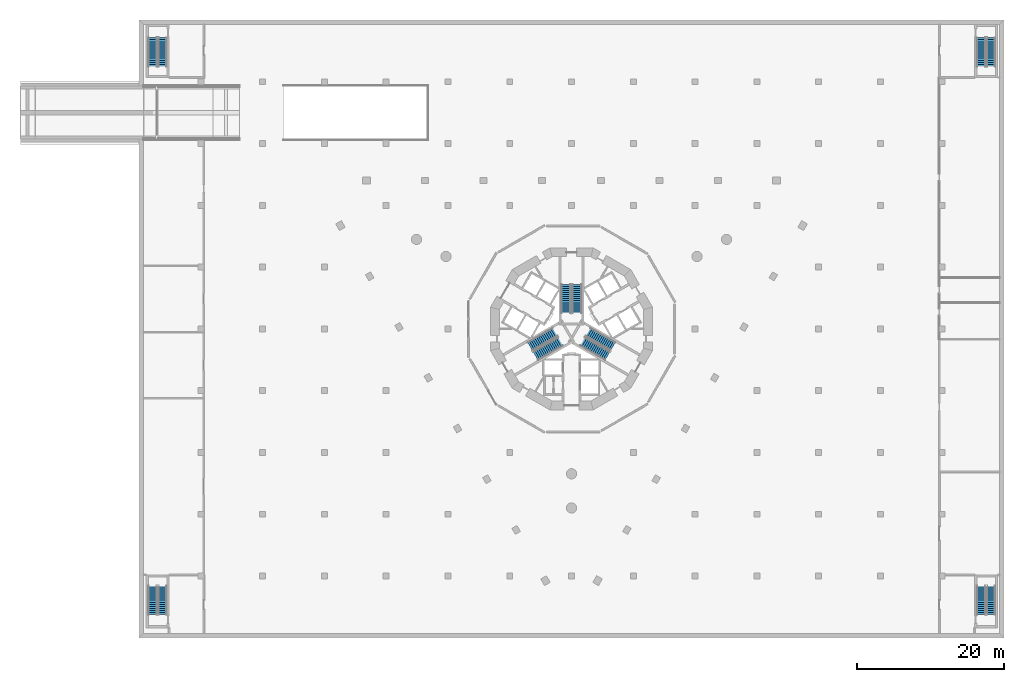
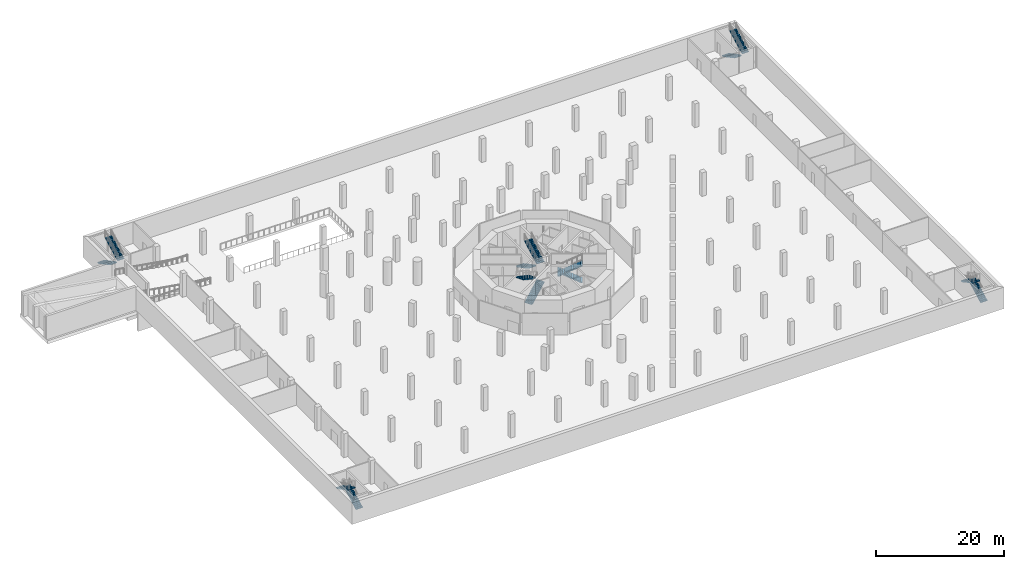
# One storey, part 15 of 21: 14 stair flights, 7 elements without a shape of their own.
"""IFC4 building model written with IfcOpenShell, lengths in metres."""

from ifc_helpers import new_model, si_unit, direction, frame, origin, place, context, subcontext, project, spatial, polyline, outline, extrude, material, type_object, element, aggregate, save


model = new_model("IFC4")

# Units and contexts
model_context = context("Model", 3, precision=1e-05, world=origin(), true_north=direction((0.0, 1.0)))
body_context = subcontext(model_context, "Body", "Model", "MODEL_VIEW")
ifc_project = project(units=[si_unit("LENGTHUNIT", "METRE"), si_unit("AREAUNIT", "SQUARE_METRE"), si_unit("VOLUMEUNIT", "CUBIC_METRE"), si_unit("PLANEANGLEUNIT", "RADIAN"), si_unit("MASSUNIT", "GRAM", prefix="KILO")], contexts=[model_context])

# Site, building, storey
site_placement = place(None, origin())
site = spatial("IfcSite", under=ifc_project, at=site_placement, CompositionType="ELEMENT")
building_placement = place(site_placement, origin())
building = spatial("IfcBuilding", under=site, at=building_placement, Name="Trine Commons Tower", CompositionType="ELEMENT")
storey_placement = place(building_placement, frame((0.0, 0.0, -4.5)))
storey = spatial("IfcBuildingStorey", under=building, at=storey_placement, Name="B1", CompositionType="ELEMENT", Elevation=-4.5)

# Stair, stair flights
ifc_material_1 = material(Name="Concrete C40/50", Category="concrete")
stair_type_1 = type_object("IfcStairType", Name="Exit stair, dog-leg 1200 mm, C40/50", PredefinedType="HALF_TURN_STAIR", material=ifc_material_1)
stair_1_placement = place(storey_placement, origin())
stair_1 = element("IfcStair", 1, at=stair_1_placement, inside=storey, type_object=stair_type_1, Name="B1 Exit stair STB1", PredefinedType="HALF_TURN_STAIR")
stair_flight_type_1 = type_object("IfcStairFlightType", Name="RC stair flight 1200 mm, C40/50", PredefinedType="STRAIGHT", material=ifc_material_1)
stair_flight_1_placement = place(storey_placement, frame((24.39990234375, 23.64990234375, 0.0), z_axis=(0.0, 0.0, 1.0), x_axis=(0.0, 1.0, 0.0)))
stair_flight_1 = element("IfcStairFlight", 2, at=stair_flight_1_placement, type_object=stair_flight_type_1, Name="STB1 flight 1", NumberOfRisers=15, NumberOfTreads=14, PredefinedType="STRAIGHT", RiserHeight=0.15, TreadLength=0.28, context=body_context, shape_type="SweptSolid", body=[
    extrude(outline(polyline([(0.0, 0.0), (0.0, 0.14990234375), (0.280029296875, 0.14990234375), (0.280029296875, 0.300048828125), (0.56005859375, 0.300048828125), (0.56005859375, 0.449951171875), (0.840087890625, 0.449951171875), (0.840087890625, 0.60009765625), (1.1201171875, 0.60009765625), (1.1201171875, 0.75), (1.39990234375, 0.75), (1.39990234375, 0.89990234375), (1.679931640625, 0.89990234375), (1.679931640625, 1.050048828125), (1.9599609375, 1.050048828125), (1.9599609375, 1.199951171875), (2.239990234375, 1.199951171875), (2.239990234375, 1.35009765625), (2.52001953125, 1.35009765625), (2.52001953125, 1.5), (2.800048828125, 1.5), (2.800048828125, 1.64990234375), (3.080078125, 1.64990234375), (3.080078125, 1.800048828125), (3.360107421875, 1.800048828125), (3.360107421875, 1.949951171875), (3.639892578125, 1.949951171875), (3.639892578125, 2.10009765625), (3.919921875, 2.10009765625), (3.919921875, 2.25), (3.919921875, 1.929931640625), (0.3173828125, 0.0), (0.0, 0.0)])), frame((0.0, 0.60009765625, 0.0), z_axis=(0.0, -1.0, 0.0), x_axis=(1.0, 0.0, 0.0)), (0.0, 0.0, 1.0), 1.199951171875),
])
stair_flight_2_placement = place(storey_placement, frame((23.050048828125, 27.570068359375, 2.25), z_axis=(0.0, 0.0, 1.0), x_axis=(0.0, -1.0, 0.0)))
stair_flight_2 = element("IfcStairFlight", 3, at=stair_flight_2_placement, type_object=stair_flight_type_1, Name="STB1 flight 2", NumberOfRisers=15, NumberOfTreads=14, PredefinedType="STRAIGHT", RiserHeight=0.15, TreadLength=0.28, context=body_context, shape_type="SweptSolid", body=[
    extrude(outline(polyline([(0.0, 0.0), (0.0, 0.14990234375), (0.280029296875, 0.14990234375), (0.280029296875, 0.300048828125), (0.56005859375, 0.300048828125), (0.56005859375, 0.449951171875), (0.840087890625, 0.449951171875), (0.840087890625, 0.60009765625), (1.1201171875, 0.60009765625), (1.1201171875, 0.75), (1.39990234375, 0.75), (1.39990234375, 0.89990234375), (1.679931640625, 0.89990234375), (1.679931640625, 1.050048828125), (1.9599609375, 1.050048828125), (1.9599609375, 1.199951171875), (2.239990234375, 1.199951171875), (2.239990234375, 1.35009765625), (2.52001953125, 1.35009765625), (2.52001953125, 1.5), (2.800048828125, 1.5), (2.800048828125, 1.64990234375), (3.080078125, 1.64990234375), (3.080078125, 1.800048828125), (3.360107421875, 1.800048828125), (3.360107421875, 1.949951171875), (3.639892578125, 1.949951171875), (3.639892578125, 2.10009765625), (3.919921875, 2.10009765625), (3.919921875, 2.25), (3.919921875, 1.929931640625), (0.3173828125, 0.0), (0.0, 0.0)])), frame((0.0, 0.60009765625, 0.0), z_axis=(0.0, -1.0, 0.0), x_axis=(1.0, 0.0, 0.0)), (0.0, 0.0, 1.0), 1.199951171875),
])
aggregate(stair_1, [stair_flight_1, stair_flight_2])

stair_2_placement = place(storey_placement, origin())
stair_2 = element("IfcStair", 4, at=stair_2_placement, inside=storey, type_object=stair_type_1, Name="B1 Exit stair STB2", PredefinedType="HALF_TURN_STAIR")
stair_flight_3_placement = place(storey_placement, frame((137.050048828125, 23.64990234375, 0.0), z_axis=(0.0, 0.0, 1.0), x_axis=(0.0, 1.0, 0.0)))
stair_flight_3 = element("IfcStairFlight", 5, at=stair_flight_3_placement, type_object=stair_flight_type_1, Name="STB2 flight 1", NumberOfRisers=15, NumberOfTreads=14, PredefinedType="STRAIGHT", RiserHeight=0.15, TreadLength=0.28, context=body_context, shape_type="SweptSolid", body=[
    extrude(outline(polyline([(0.0, 0.0), (0.0, 0.14990234375), (0.280029296875, 0.14990234375), (0.280029296875, 0.300048828125), (0.56005859375, 0.300048828125), (0.56005859375, 0.449951171875), (0.840087890625, 0.449951171875), (0.840087890625, 0.60009765625), (1.1201171875, 0.60009765625), (1.1201171875, 0.75), (1.39990234375, 0.75), (1.39990234375, 0.89990234375), (1.679931640625, 0.89990234375), (1.679931640625, 1.050048828125), (1.9599609375, 1.050048828125), (1.9599609375, 1.199951171875), (2.239990234375, 1.199951171875), (2.239990234375, 1.35009765625), (2.52001953125, 1.35009765625), (2.52001953125, 1.5), (2.800048828125, 1.5), (2.800048828125, 1.64990234375), (3.080078125, 1.64990234375), (3.080078125, 1.800048828125), (3.360107421875, 1.800048828125), (3.360107421875, 1.949951171875), (3.639892578125, 1.949951171875), (3.639892578125, 2.10009765625), (3.919921875, 2.10009765625), (3.919921875, 2.25), (3.919921875, 1.929931640625), (0.3173828125, 0.0), (0.0, 0.0)])), frame((0.0, 0.60009765625, 0.0), z_axis=(0.0, -1.0, 0.0), x_axis=(1.0, 0.0, 0.0)), (0.0, 0.0, 1.0), 1.199951171875),
])
stair_flight_4_placement = place(storey_placement, frame((135.699951171875, 27.570068359375, 2.25), z_axis=(0.0, 0.0, 1.0), x_axis=(0.0, -1.0, 0.0)))
stair_flight_4 = element("IfcStairFlight", 6, at=stair_flight_4_placement, type_object=stair_flight_type_1, Name="STB2 flight 2", NumberOfRisers=15, NumberOfTreads=14, PredefinedType="STRAIGHT", RiserHeight=0.15, TreadLength=0.28, context=body_context, shape_type="SweptSolid", body=[
    extrude(outline(polyline([(0.0, 0.0), (0.0, 0.14990234375), (0.280029296875, 0.14990234375), (0.280029296875, 0.300048828125), (0.56005859375, 0.300048828125), (0.56005859375, 0.449951171875), (0.840087890625, 0.449951171875), (0.840087890625, 0.60009765625), (1.1201171875, 0.60009765625), (1.1201171875, 0.75), (1.39990234375, 0.75), (1.39990234375, 0.89990234375), (1.679931640625, 0.89990234375), (1.679931640625, 1.050048828125), (1.9599609375, 1.050048828125), (1.9599609375, 1.199951171875), (2.239990234375, 1.199951171875), (2.239990234375, 1.35009765625), (2.52001953125, 1.35009765625), (2.52001953125, 1.5), (2.800048828125, 1.5), (2.800048828125, 1.64990234375), (3.080078125, 1.64990234375), (3.080078125, 1.800048828125), (3.360107421875, 1.800048828125), (3.360107421875, 1.949951171875), (3.639892578125, 1.949951171875), (3.639892578125, 2.10009765625), (3.919921875, 2.10009765625), (3.919921875, 2.25), (3.919921875, 1.929931640625), (0.3173828125, 0.0), (0.0, 0.0)])), frame((0.0, 0.60009765625, 0.0), z_axis=(0.0, -1.0, 0.0), x_axis=(1.0, 0.0, 0.0)), (0.0, 0.0, 1.0), 1.199951171875),
])
aggregate(stair_2, [stair_flight_3, stair_flight_4])

stair_3_placement = place(storey_placement, origin())
stair_3 = element("IfcStair", 7, at=stair_3_placement, inside=storey, type_object=stair_type_1, Name="B1 Exit stair STB3", PredefinedType="HALF_TURN_STAIR")
stair_flight_5_placement = place(storey_placement, frame((23.050048828125, 102.10009765625, 0.0), z_axis=(0.0, 0.0, 1.0), x_axis=(0.0, -1.0, 0.0)))
stair_flight_5 = element("IfcStairFlight", 8, at=stair_flight_5_placement, type_object=stair_flight_type_1, Name="STB3 flight 1", NumberOfRisers=15, NumberOfTreads=14, PredefinedType="STRAIGHT", RiserHeight=0.15, TreadLength=0.28, context=body_context, shape_type="SweptSolid", body=[
    extrude(outline(polyline([(0.0, 0.0), (0.0, 0.14990234375), (0.280029296875, 0.14990234375), (0.280029296875, 0.300048828125), (0.56005859375, 0.300048828125), (0.56005859375, 0.449951171875), (0.840087890625, 0.449951171875), (0.840087890625, 0.60009765625), (1.1201171875, 0.60009765625), (1.1201171875, 0.75), (1.39990234375, 0.75), (1.39990234375, 0.89990234375), (1.679931640625, 0.89990234375), (1.679931640625, 1.050048828125), (1.9599609375, 1.050048828125), (1.9599609375, 1.199951171875), (2.239990234375, 1.199951171875), (2.239990234375, 1.35009765625), (2.52001953125, 1.35009765625), (2.52001953125, 1.5), (2.800048828125, 1.5), (2.800048828125, 1.64990234375), (3.080078125, 1.64990234375), (3.080078125, 1.800048828125), (3.360107421875, 1.800048828125), (3.360107421875, 1.949951171875), (3.639892578125, 1.949951171875), (3.639892578125, 2.10009765625), (3.919921875, 2.10009765625), (3.919921875, 2.25), (3.919921875, 1.929931640625), (0.3173828125, 0.0), (0.0, 0.0)])), frame((0.0, 0.60009765625, 0.0), z_axis=(0.0, -1.0, 0.0), x_axis=(1.0, 0.0, 0.0)), (0.0, 0.0, 1.0), 1.199951171875),
])
stair_flight_6_placement = place(storey_placement, frame((24.39990234375, 98.179931640625, 2.25), z_axis=(0.0, 0.0, 1.0), x_axis=(0.0, 1.0, 0.0)))
stair_flight_6 = element("IfcStairFlight", 9, at=stair_flight_6_placement, type_object=stair_flight_type_1, Name="STB3 flight 2", NumberOfRisers=15, NumberOfTreads=14, PredefinedType="STRAIGHT", RiserHeight=0.15, TreadLength=0.28, context=body_context, shape_type="SweptSolid", body=[
    extrude(outline(polyline([(0.0, 0.0), (0.0, 0.14990234375), (0.280029296875, 0.14990234375), (0.280029296875, 0.300048828125), (0.56005859375, 0.300048828125), (0.56005859375, 0.449951171875), (0.840087890625, 0.449951171875), (0.840087890625, 0.60009765625), (1.1201171875, 0.60009765625), (1.1201171875, 0.75), (1.39990234375, 0.75), (1.39990234375, 0.89990234375), (1.679931640625, 0.89990234375), (1.679931640625, 1.050048828125), (1.9599609375, 1.050048828125), (1.9599609375, 1.199951171875), (2.239990234375, 1.199951171875), (2.239990234375, 1.35009765625), (2.52001953125, 1.35009765625), (2.52001953125, 1.5), (2.800048828125, 1.5), (2.800048828125, 1.64990234375), (3.080078125, 1.64990234375), (3.080078125, 1.800048828125), (3.360107421875, 1.800048828125), (3.360107421875, 1.949951171875), (3.639892578125, 1.949951171875), (3.639892578125, 2.10009765625), (3.919921875, 2.10009765625), (3.919921875, 2.25), (3.919921875, 1.929931640625), (0.3173828125, 0.0), (0.0, 0.0)])), frame((0.0, 0.60009765625, 0.0), z_axis=(0.0, -1.0, 0.0), x_axis=(1.0, 0.0, 0.0)), (0.0, 0.0, 1.0), 1.199951171875),
])
aggregate(stair_3, [stair_flight_5, stair_flight_6])

stair_4_placement = place(storey_placement, origin())
stair_4 = element("IfcStair", 10, at=stair_4_placement, inside=storey, type_object=stair_type_1, Name="B1 Exit stair STB4", PredefinedType="HALF_TURN_STAIR")
stair_flight_7_placement = place(storey_placement, frame((135.699951171875, 102.10009765625, 0.0), z_axis=(0.0, 0.0, 1.0), x_axis=(0.0, -1.0, 0.0)))
stair_flight_7 = element("IfcStairFlight", 11, at=stair_flight_7_placement, type_object=stair_flight_type_1, Name="STB4 flight 1", NumberOfRisers=15, NumberOfTreads=14, PredefinedType="STRAIGHT", RiserHeight=0.15, TreadLength=0.28, context=body_context, shape_type="SweptSolid", body=[
    extrude(outline(polyline([(0.0, 0.0), (0.0, 0.14990234375), (0.280029296875, 0.14990234375), (0.280029296875, 0.300048828125), (0.56005859375, 0.300048828125), (0.56005859375, 0.449951171875), (0.840087890625, 0.449951171875), (0.840087890625, 0.60009765625), (1.1201171875, 0.60009765625), (1.1201171875, 0.75), (1.39990234375, 0.75), (1.39990234375, 0.89990234375), (1.679931640625, 0.89990234375), (1.679931640625, 1.050048828125), (1.9599609375, 1.050048828125), (1.9599609375, 1.199951171875), (2.239990234375, 1.199951171875), (2.239990234375, 1.35009765625), (2.52001953125, 1.35009765625), (2.52001953125, 1.5), (2.800048828125, 1.5), (2.800048828125, 1.64990234375), (3.080078125, 1.64990234375), (3.080078125, 1.800048828125), (3.360107421875, 1.800048828125), (3.360107421875, 1.949951171875), (3.639892578125, 1.949951171875), (3.639892578125, 2.10009765625), (3.919921875, 2.10009765625), (3.919921875, 2.25), (3.919921875, 1.929931640625), (0.3173828125, 0.0), (0.0, 0.0)])), frame((0.0, 0.60009765625, 0.0), z_axis=(0.0, -1.0, 0.0), x_axis=(1.0, 0.0, 0.0)), (0.0, 0.0, 1.0), 1.199951171875),
])
stair_flight_8_placement = place(storey_placement, frame((137.050048828125, 98.179931640625, 2.25), z_axis=(0.0, 0.0, 1.0), x_axis=(0.0, 1.0, 0.0)))
stair_flight_8 = element("IfcStairFlight", 12, at=stair_flight_8_placement, type_object=stair_flight_type_1, Name="STB4 flight 2", NumberOfRisers=15, NumberOfTreads=14, PredefinedType="STRAIGHT", RiserHeight=0.15, TreadLength=0.28, context=body_context, shape_type="SweptSolid", body=[
    extrude(outline(polyline([(0.0, 0.0), (0.0, 0.14990234375), (0.280029296875, 0.14990234375), (0.280029296875, 0.300048828125), (0.56005859375, 0.300048828125), (0.56005859375, 0.449951171875), (0.840087890625, 0.449951171875), (0.840087890625, 0.60009765625), (1.1201171875, 0.60009765625), (1.1201171875, 0.75), (1.39990234375, 0.75), (1.39990234375, 0.89990234375), (1.679931640625, 0.89990234375), (1.679931640625, 1.050048828125), (1.9599609375, 1.050048828125), (1.9599609375, 1.199951171875), (2.239990234375, 1.199951171875), (2.239990234375, 1.35009765625), (2.52001953125, 1.35009765625), (2.52001953125, 1.5), (2.800048828125, 1.5), (2.800048828125, 1.64990234375), (3.080078125, 1.64990234375), (3.080078125, 1.800048828125), (3.360107421875, 1.800048828125), (3.360107421875, 1.949951171875), (3.639892578125, 1.949951171875), (3.639892578125, 2.10009765625), (3.919921875, 2.10009765625), (3.919921875, 2.25), (3.919921875, 1.929931640625), (0.3173828125, 0.0), (0.0, 0.0)])), frame((0.0, 0.60009765625, 0.0), z_axis=(0.0, -1.0, 0.0), x_axis=(1.0, 0.0, 0.0)), (0.0, 0.0, 1.0), 1.199951171875),
])
aggregate(stair_4, [stair_flight_7, stair_flight_8])

ifc_material_2 = material(Name="Concrete C50/60", Category="concrete")
stair_type_2 = type_object("IfcStairType", Name="Exit stair, dog-leg, 30 risers of 150 mm", PredefinedType="HALF_TURN_STAIR", material=ifc_material_2)
stair_5_placement = place(storey_placement, origin())
stair_5 = element("IfcStair", 13, at=stair_5_placement, inside=storey, type_object=stair_type_2, Name="B1 Exit stair ST1A", PredefinedType="HALF_TURN_STAIR")
stair_flight_type_2 = type_object("IfcStairFlightType", Name="Stair flight, 1350 wide, 15 risers of 150 mm", PredefinedType="STRAIGHT", material=ifc_material_2)
stair_flight_9_placement = place(storey_placement, frame((79.25, 68.570556640625, 0.0), z_axis=(0.0, 0.0, 1.0), x_axis=(0.0, -1.0, 0.0)))
stair_flight_9 = element("IfcStairFlight", 14, at=stair_flight_9_placement, type_object=stair_flight_type_2, Name="ST1A flight 1", NumberOfRisers=15, NumberOfTreads=14, PredefinedType="STRAIGHT", RiserHeight=0.15, TreadLength=0.28, context=body_context, shape_type="SweptSolid", body=[
    extrude(outline(polyline([(0.0, 0.0), (0.0, 0.14990234375), (0.280029296875, 0.14990234375), (0.280029296875, 0.300048828125), (0.56005859375, 0.300048828125), (0.56005859375, 0.449951171875), (0.840087890625, 0.449951171875), (0.840087890625, 0.60009765625), (1.1201171875, 0.60009765625), (1.1201171875, 0.75), (1.39990234375, 0.75), (1.39990234375, 0.89990234375), (1.679931640625, 0.89990234375), (1.679931640625, 1.050048828125), (1.9599609375, 1.050048828125), (1.9599609375, 1.199951171875), (2.239990234375, 1.199951171875), (2.239990234375, 1.35009765625), (2.52001953125, 1.35009765625), (2.52001953125, 1.5), (2.800048828125, 1.5), (2.800048828125, 1.64990234375), (3.080078125, 1.64990234375), (3.080078125, 1.800048828125), (3.360107421875, 1.800048828125), (3.360107421875, 1.949951171875), (3.639892578125, 1.949951171875), (3.639892578125, 2.10009765625), (3.919921875, 2.10009765625), (3.919921875, 2.25), (3.919921875, 1.929931640625), (0.3173828125, 0.0), (0.0, 0.0)])), frame((0.0, 0.675048828125, 0.0), z_axis=(0.0, -1.0, 0.0), x_axis=(1.0, 0.0, 0.0)), (0.0, 0.0, 1.0), 1.35009765625),
])
stair_flight_10_placement = place(storey_placement, frame((80.75, 64.650634765625, 2.25), z_axis=(0.0, 0.0, 1.0), x_axis=(0.0, 1.0, 0.0)))
stair_flight_10 = element("IfcStairFlight", 15, at=stair_flight_10_placement, type_object=stair_flight_type_2, Name="ST1A flight 2", NumberOfRisers=15, NumberOfTreads=14, PredefinedType="STRAIGHT", RiserHeight=0.15, TreadLength=0.28, context=body_context, shape_type="SweptSolid", body=[
    extrude(outline(polyline([(0.0, 0.0), (0.0, 0.14990234375), (0.280029296875, 0.14990234375), (0.280029296875, 0.300048828125), (0.56005859375, 0.300048828125), (0.56005859375, 0.449951171875), (0.840087890625, 0.449951171875), (0.840087890625, 0.60009765625), (1.1201171875, 0.60009765625), (1.1201171875, 0.75), (1.39990234375, 0.75), (1.39990234375, 0.89990234375), (1.679931640625, 0.89990234375), (1.679931640625, 1.050048828125), (1.9599609375, 1.050048828125), (1.9599609375, 1.199951171875), (2.239990234375, 1.199951171875), (2.239990234375, 1.35009765625), (2.52001953125, 1.35009765625), (2.52001953125, 1.5), (2.800048828125, 1.5), (2.800048828125, 1.64990234375), (3.080078125, 1.64990234375), (3.080078125, 1.800048828125), (3.360107421875, 1.800048828125), (3.360107421875, 1.949951171875), (3.639892578125, 1.949951171875), (3.639892578125, 2.10009765625), (3.919921875, 2.10009765625), (3.919921875, 2.25), (3.919921875, 1.929931640625), (0.3173828125, 0.0), (0.0, 0.0)])), frame((0.0, 0.675048828125, 0.0), z_axis=(0.0, -1.0, 0.0), x_axis=(1.0, 0.0, 0.0)), (0.0, 0.0, 1.0), 1.35009765625),
])
aggregate(stair_5, [stair_flight_9, stair_flight_10])

stair_6_placement = place(storey_placement, origin())
stair_6 = element("IfcStair", 16, at=stair_6_placement, inside=storey, type_object=stair_type_2, Name="B1 Exit stair ST2A", PredefinedType="HALF_TURN_STAIR")
stair_flight_11_placement = place(storey_placement, frame((75.11767578125, 58.815185546875, 0.0), z_axis=(0.0, 0.0, 1.0), x_axis=(0.866025403784, 0.5, 0.0)))
stair_flight_11 = element("IfcStairFlight", 17, at=stair_flight_11_placement, type_object=stair_flight_type_2, Name="ST2A flight 1", NumberOfRisers=15, NumberOfTreads=14, PredefinedType="STRAIGHT", RiserHeight=0.15, TreadLength=0.28, context=body_context, shape_type="SweptSolid", body=[
    extrude(outline(polyline([(0.0, 0.0), (0.0, 0.14990234375), (0.280029296875, 0.14990234375), (0.280029296875, 0.300048828125), (0.56005859375, 0.300048828125), (0.56005859375, 0.449951171875), (0.840087890625, 0.449951171875), (0.840087890625, 0.60009765625), (1.1201171875, 0.60009765625), (1.1201171875, 0.75), (1.39990234375, 0.75), (1.39990234375, 0.89990234375), (1.679931640625, 0.89990234375), (1.679931640625, 1.050048828125), (1.9599609375, 1.050048828125), (1.9599609375, 1.199951171875), (2.239990234375, 1.199951171875), (2.239990234375, 1.35009765625), (2.52001953125, 1.35009765625), (2.52001953125, 1.5), (2.800048828125, 1.5), (2.800048828125, 1.64990234375), (3.080078125, 1.64990234375), (3.080078125, 1.800048828125), (3.360107421875, 1.800048828125), (3.360107421875, 1.949951171875), (3.639892578125, 1.949951171875), (3.639892578125, 2.10009765625), (3.919921875, 2.10009765625), (3.919921875, 2.25), (3.919921875, 1.929931640625), (0.3173828125, 0.0), (0.0, 0.0)])), frame((0.0, 0.675048828125, 0.0), z_axis=(0.0, -1.0, 0.0), x_axis=(1.0, 0.0, 0.0)), (0.0, 0.0, 1.0), 1.35009765625),
])
stair_flight_12_placement = place(storey_placement, frame((77.762451171875, 62.07421875, 2.25), z_axis=(0.0, 0.0, 1.0), x_axis=(-0.866025403784, -0.5, 0.0)))
stair_flight_12 = element("IfcStairFlight", 18, at=stair_flight_12_placement, type_object=stair_flight_type_2, Name="ST2A flight 2", NumberOfRisers=15, NumberOfTreads=14, PredefinedType="STRAIGHT", RiserHeight=0.15, TreadLength=0.28, context=body_context, shape_type="SweptSolid", body=[
    extrude(outline(polyline([(0.0, 0.0), (0.0, 0.14990234375), (0.280029296875, 0.14990234375), (0.280029296875, 0.300048828125), (0.56005859375, 0.300048828125), (0.56005859375, 0.449951171875), (0.840087890625, 0.449951171875), (0.840087890625, 0.60009765625), (1.1201171875, 0.60009765625), (1.1201171875, 0.75), (1.39990234375, 0.75), (1.39990234375, 0.89990234375), (1.679931640625, 0.89990234375), (1.679931640625, 1.050048828125), (1.9599609375, 1.050048828125), (1.9599609375, 1.199951171875), (2.239990234375, 1.199951171875), (2.239990234375, 1.35009765625), (2.52001953125, 1.35009765625), (2.52001953125, 1.5), (2.800048828125, 1.5), (2.800048828125, 1.64990234375), (3.080078125, 1.64990234375), (3.080078125, 1.800048828125), (3.360107421875, 1.800048828125), (3.360107421875, 1.949951171875), (3.639892578125, 1.949951171875), (3.639892578125, 2.10009765625), (3.919921875, 2.10009765625), (3.919921875, 2.25), (3.919921875, 1.929931640625), (0.3173828125, 0.0), (0.0, 0.0)])), frame((0.0, 0.675048828125, 0.0), z_axis=(0.0, -1.0, 0.0), x_axis=(1.0, 0.0, 0.0)), (0.0, 0.0, 1.0), 1.35009765625),
])
aggregate(stair_6, [stair_flight_11, stair_flight_12])

stair_7_placement = place(storey_placement, origin())
stair_7 = element("IfcStair", 19, at=stair_7_placement, inside=storey, type_object=stair_type_2, Name="B1 Exit stair ST3A", PredefinedType="HALF_TURN_STAIR")
stair_flight_13_placement = place(storey_placement, frame((85.63232421875, 60.1142578125, 0.0), z_axis=(0.0, 0.0, 1.0), x_axis=(-0.866025403784, 0.5, 0.0)))
stair_flight_13 = element("IfcStairFlight", 20, at=stair_flight_13_placement, type_object=stair_flight_type_2, Name="ST3A flight 1", NumberOfRisers=15, NumberOfTreads=14, PredefinedType="STRAIGHT", RiserHeight=0.15, TreadLength=0.28, context=body_context, shape_type="SweptSolid", body=[
    extrude(outline(polyline([(0.0, 0.0), (0.0, 0.14990234375), (0.280029296875, 0.14990234375), (0.280029296875, 0.300048828125), (0.56005859375, 0.300048828125), (0.56005859375, 0.449951171875), (0.840087890625, 0.449951171875), (0.840087890625, 0.60009765625), (1.1201171875, 0.60009765625), (1.1201171875, 0.75), (1.39990234375, 0.75), (1.39990234375, 0.89990234375), (1.679931640625, 0.89990234375), (1.679931640625, 1.050048828125), (1.9599609375, 1.050048828125), (1.9599609375, 1.199951171875), (2.239990234375, 1.199951171875), (2.239990234375, 1.35009765625), (2.52001953125, 1.35009765625), (2.52001953125, 1.5), (2.800048828125, 1.5), (2.800048828125, 1.64990234375), (3.080078125, 1.64990234375), (3.080078125, 1.800048828125), (3.360107421875, 1.800048828125), (3.360107421875, 1.949951171875), (3.639892578125, 1.949951171875), (3.639892578125, 2.10009765625), (3.919921875, 2.10009765625), (3.919921875, 2.25), (3.919921875, 1.929931640625), (0.3173828125, 0.0), (0.0, 0.0)])), frame((0.0, 0.675048828125, 0.0), z_axis=(0.0, -1.0, 0.0), x_axis=(1.0, 0.0, 0.0)), (0.0, 0.0, 1.0), 1.35009765625),
])
stair_flight_14_placement = place(storey_placement, frame((81.487548828125, 60.775146484375, 2.25), z_axis=(0.0, 0.0, 1.0), x_axis=(0.866025403784, -0.5, 0.0)))
stair_flight_14 = element("IfcStairFlight", 21, at=stair_flight_14_placement, type_object=stair_flight_type_2, Name="ST3A flight 2", NumberOfRisers=15, NumberOfTreads=14, PredefinedType="STRAIGHT", RiserHeight=0.15, TreadLength=0.28, context=body_context, shape_type="SweptSolid", body=[
    extrude(outline(polyline([(0.0, 0.0), (0.0, 0.14990234375), (0.280029296875, 0.14990234375), (0.280029296875, 0.300048828125), (0.56005859375, 0.300048828125), (0.56005859375, 0.449951171875), (0.840087890625, 0.449951171875), (0.840087890625, 0.60009765625), (1.1201171875, 0.60009765625), (1.1201171875, 0.75), (1.39990234375, 0.75), (1.39990234375, 0.89990234375), (1.679931640625, 0.89990234375), (1.679931640625, 1.050048828125), (1.9599609375, 1.050048828125), (1.9599609375, 1.199951171875), (2.239990234375, 1.199951171875), (2.239990234375, 1.35009765625), (2.52001953125, 1.35009765625), (2.52001953125, 1.5), (2.800048828125, 1.5), (2.800048828125, 1.64990234375), (3.080078125, 1.64990234375), (3.080078125, 1.800048828125), (3.360107421875, 1.800048828125), (3.360107421875, 1.949951171875), (3.639892578125, 1.949951171875), (3.639892578125, 2.10009765625), (3.919921875, 2.10009765625), (3.919921875, 2.25), (3.919921875, 1.929931640625), (0.3173828125, 0.0), (0.0, 0.0)])), frame((0.0, 0.675048828125, 0.0), z_axis=(0.0, -1.0, 0.0), x_axis=(1.0, 0.0, 0.0)), (0.0, 0.0, 1.0), 1.35009765625),
])
aggregate(stair_7, [stair_flight_13, stair_flight_14])

save(model, "model.ifc")
